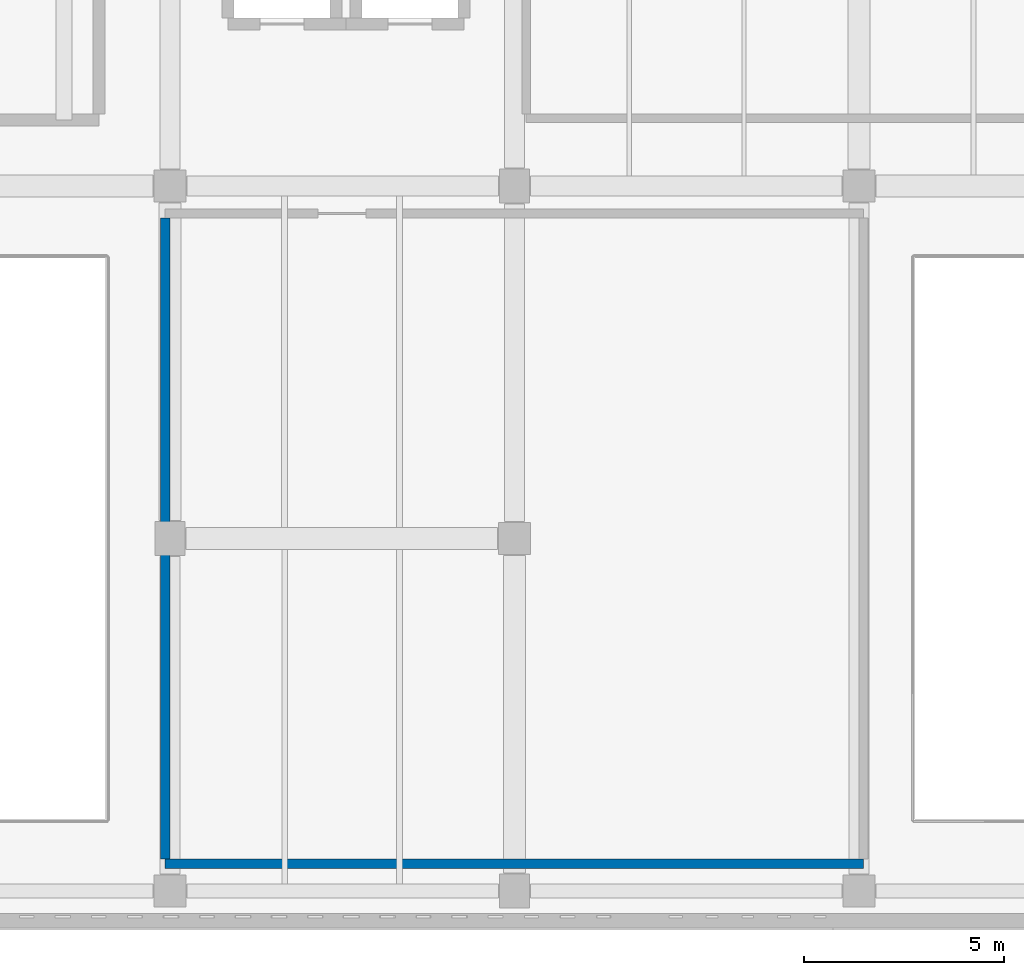
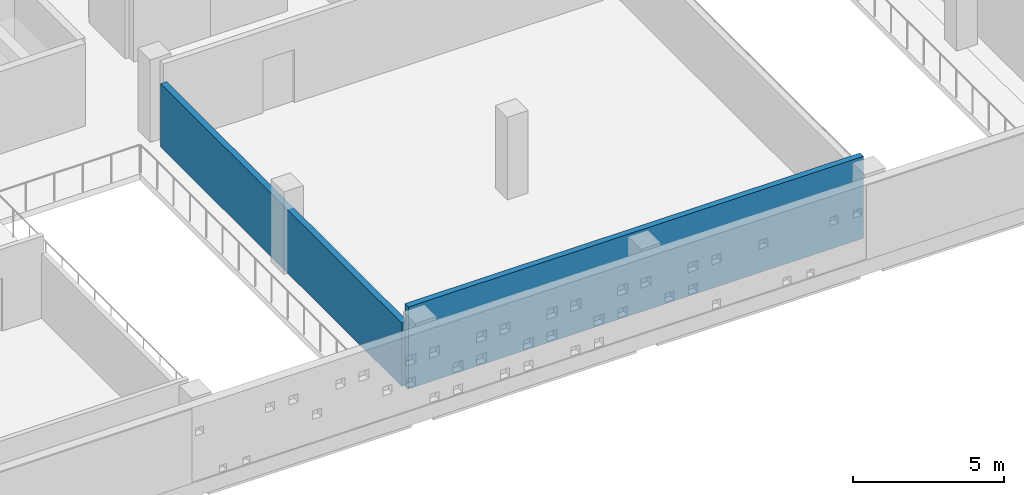
# One storey, part 55 of 75: 2 walls.
"""IFC4 building model written with IfcOpenShell, lengths in metres."""

from ifc_helpers import new_model, si_unit, direction, frame, frame_2d, origin, place, context, subcontext, project, spatial, rectangle, extrude, material, layer, layer_set, type_object, element, save


model = new_model("IFC4")

# Units and contexts
model_context = context("Model", 3, precision=1e-05, world=origin(), true_north=direction((0.0, 1.0)))
body_context = subcontext(model_context, "Body", "Model", "MODEL_VIEW")
ifc_project = project(units=[si_unit("LENGTHUNIT", "METRE"), si_unit("AREAUNIT", "SQUARE_METRE"), si_unit("VOLUMEUNIT", "CUBIC_METRE"), si_unit("PLANEANGLEUNIT", "RADIAN"), si_unit("MASSUNIT", "GRAM", prefix="KILO")], contexts=[model_context])

# Site, building, storey
site_placement = place(None, origin())
site = spatial("IfcSite", under=ifc_project, at=site_placement, CompositionType="ELEMENT")
building_placement = place(site_placement, origin())
building = spatial("IfcBuilding", under=site, at=building_placement, Name="Varnakota Cinema and Media Centre", CompositionType="ELEMENT")
storey_placement = place(building_placement, frame((0.0, 0.0, 8.39990234375)))
storey = spatial("IfcBuildingStorey", under=building, at=storey_placement, Name="L02", CompositionType="ELEMENT", Elevation=8.39990234375)

# Walls
ifc_material = material(Name="Autoclaved aerated concrete blockwork", Category="masonry")
ifc_layer = layer(ifc_material, 0.22998046875)
ifc_layer_set = layer_set([ifc_layer], Name="Autoclaved aerated concrete blockwork")
wall_type = type_object("IfcWallType", Name="W-BOX-230", PredefinedType="PARTITIONING", material=ifc_layer_set)
wall_1_placement = place(storey_placement, frame((34.514892578125, 0.68505859375, 0.0), z_axis=(0.0, 0.0, 1.0), x_axis=(-1.0, 0.0, 0.0)))
element("IfcWall", 1, at=wall_1_placement, inside=storey, type_object=wall_type, Name="L02 RWALL-RM-L02-PROJ23 S wall", PredefinedType="PARTITIONING", context=body_context, shape_type="SweptSolid", body=[
    extrude(rectangle(XDim=17.429931640625, YDim=0.22998046875, at=frame_2d((8.71484375, 0.0))), origin(), (0.0, 0.0, 1.0), 3.320068359375),
])
wall_2_placement = place(storey_placement, frame((17.0849609375, 0.800048828125, 0.0), z_axis=(0.0, 0.0, 1.0), x_axis=(0.0, 1.0, 0.0)))
element("IfcWall", 2, at=wall_2_placement, inside=storey, type_object=wall_type, Name="L02 RWALL-RM-L02-PROJ23 W wall", PredefinedType="PARTITIONING", context=body_context, shape_type="SweptSolid", body=[
    extrude(rectangle(XDim=16.0, YDim=0.22998046875, at=frame_2d((8.0, 0.0))), origin(), (0.0, 0.0, 1.0), 2.570068359375),
])

save(model, "model.ifc")
